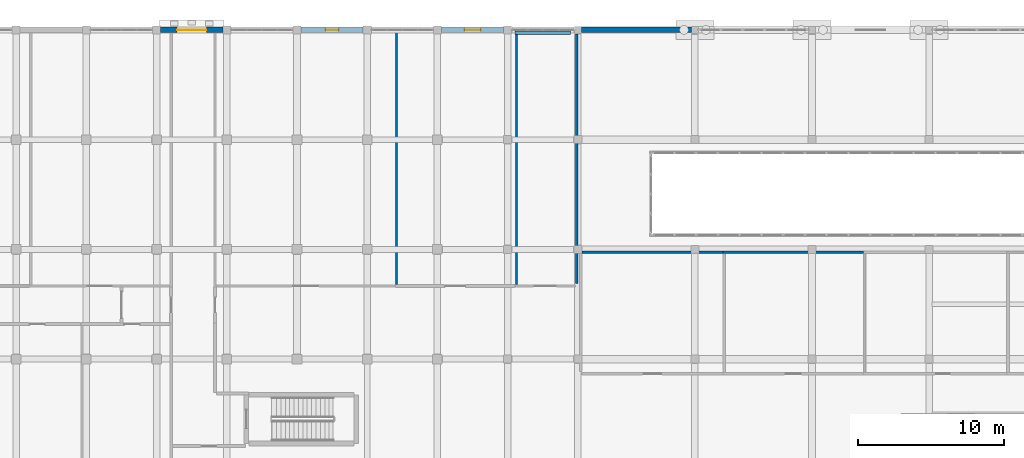
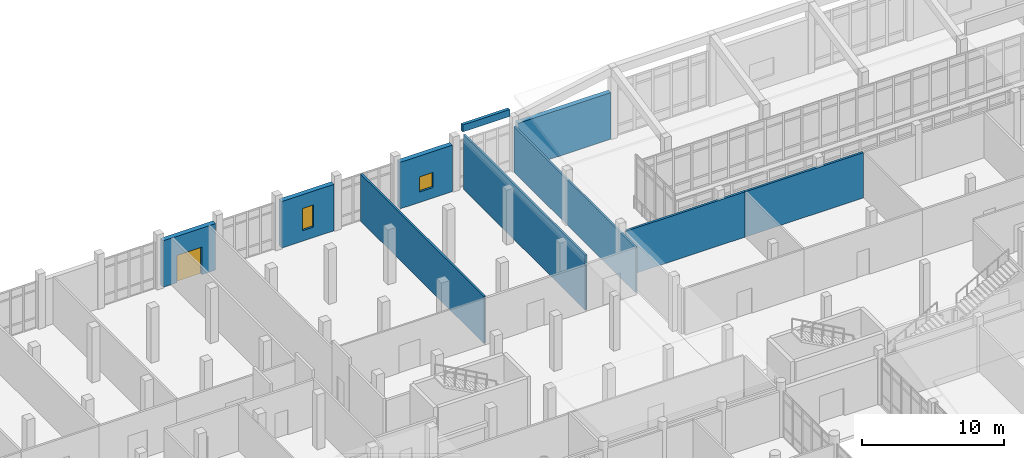
# One storey, part 157 of 173: 10 walls, 2 windows, 1 door, 3 openings.
"""IFC4 building model written with IfcOpenShell, lengths in metres."""

from ifc_helpers import new_model, si_unit, direction, frame, frame_2d, origin, place, context, subcontext, project, spatial, rectangle, extrude, material, layer, layer_set, type_object, element, fill, save


model = new_model("IFC4")

# Units and contexts
model_context = context("Model", 3, precision=1e-05, world=origin(), true_north=direction((0.0, 1.0)))
body_context = subcontext(model_context, "Body", "Model", "MODEL_VIEW")
ifc_project = project(units=[si_unit("LENGTHUNIT", "METRE"), si_unit("AREAUNIT", "SQUARE_METRE"), si_unit("VOLUMEUNIT", "CUBIC_METRE"), si_unit("PLANEANGLEUNIT", "RADIAN"), si_unit("MASSUNIT", "GRAM", prefix="KILO")], contexts=[model_context])

# Site, building, storey
site_placement = place(None, origin())
site = spatial("IfcSite", under=ifc_project, at=site_placement, CompositionType="ELEMENT")
building_placement = place(site_placement, origin())
building = spatial("IfcBuilding", under=site, at=building_placement, Name="Mawjan Specialist Oncology Clinic", CompositionType="ELEMENT")
storey_placement = place(building_placement, origin())
storey = spatial("IfcBuildingStorey", under=building, at=storey_placement, Name="L00", CompositionType="ELEMENT", Elevation=0.0)

# Wall, opening, door
ifc_material_1 = material(Name="Precast concrete C40/50", Category="concrete")
ifc_layer_1 = layer(ifc_material_1, 0.3798828125, Name="Precast concrete C40/50", Category="concrete")
ifc_layer_set_1 = layer_set([ifc_layer_1], Name="Precast concrete C40/50")
wall_type_1 = type_object("IfcWallType", Name="EW-380", PredefinedType="SOLIDWALL", material=ifc_layer_set_1)
wall_1_placement = place(storey_placement, frame((79.47509765625, 113.300048828125, 0.0), z_axis=(0.0, 0.0, 1.0), x_axis=(1.0, 0.0, 0.0)))
wall_1 = element("IfcWall", 1, at=wall_1_placement, inside=storey, type_object=wall_type_1, Name="L00 Coral-Limestone Exterior Wall EW-L00-021", PredefinedType="SOLIDWALL", context=body_context, shape_type="SweptSolid", body=[
    extrude(rectangle(XDim=4.25, YDim=0.3798828125, at=frame_2d((2.125, 0.0))), origin(), (0.0, 0.0, 1.0), 3.985107421875),
])
opening_1_placement = place(wall_1_placement, frame((1.125, 0.0, 0.0)))
opening_1 = element("IfcOpeningElement", 2, at=opening_1_placement, cuts=wall_1, Name="Opening DE-200", PredefinedType="OPENING", context=body_context, shape_type="SweptSolid", body=[
    extrude(rectangle(XDim=2.0, YDim=2.35009765625, at=frame_2d((1.0, 1.175048828125))), frame((0.0, 0.201904296875, 0.0), z_axis=(0.0, -1.0, 0.0), x_axis=(1.0, 0.0, 0.0)), (0.0, 0.0, 1.0), 0.40380859375),
])
ifc_material_2 = material(Name="Insulated marine-grade aluminium entrance assembly", Category="aluminium")
door_type = type_object("IfcDoorType", Name="DE-200", OperationType="DOUBLE_DOOR_SINGLE_SWING", PredefinedType="DOOR", material=ifc_material_2)
door_placement = place(opening_1_placement, origin())
door = element("IfcDoor", 3, at=door_placement, inside=storey, type_object=door_type, Name="Exit Stair ST-04 Final Exterior Discharge Door", OperationType="DOUBLE_DOOR_SINGLE_SWING", OverallHeight=2.35009765625, OverallWidth=2.0, PredefinedType="DOOR", context=body_context, shape_type="SweptSolid", body=[
    extrude(rectangle(XDim=2.0, YDim=2.35009765625, at=frame_2d((1.0, 1.175048828125))), frame((0.0, 0.02490234375, 0.0), z_axis=(0.0, -1.0, 0.0), x_axis=(1.0, 0.0, 0.0)), (0.0, 0.0, 1.0), 0.050048828125),
])
fill(opening_1, door)

# Wall, opening, window
wall_2_placement = place(storey_placement, frame((89.074951171875, 113.300048828125, 0.0), z_axis=(0.0, 0.0, 1.0), x_axis=(1.0, 0.0, 0.0)))
wall_2 = element("IfcWall", 4, at=wall_2_placement, inside=storey, type_object=wall_type_1, Name="L00 Coral-Limestone Exterior Wall EW-L00-022", PredefinedType="SOLIDWALL", context=body_context, shape_type="SweptSolid", body=[
    extrude(rectangle(XDim=4.25, YDim=0.3798828125, at=frame_2d((2.125, 0.0))), origin(), (0.0, 0.0, 1.0), 3.985107421875),
])
opening_2_placement = place(wall_2_placement, frame((1.675048828125, 0.0, 0.89990234375)))
opening_2 = element("IfcOpeningElement", 5, at=opening_2_placement, cuts=wall_2, Name="Opening WN-04", PredefinedType="OPENING", context=body_context, shape_type="SweptSolid", body=[
    extrude(rectangle(XDim=0.89990234375, YDim=1.89990234375, at=frame_2d((0.449951171875, 0.949951171875))), frame((0.0, 0.201904296875, 0.0), z_axis=(0.0, -1.0, 0.0), x_axis=(1.0, 0.0, 0.0)), (0.0, 0.0, 1.0), 0.40380859375),
])
ifc_material_3 = material(Name="Thermally broken low-E clinical aluminium window", Category="aluminium")
window_type_1 = type_object("IfcWindowType", Name="WN-04", PartitioningType="SINGLE_PANEL", PredefinedType="WINDOW", material=ifc_material_3)
window_1_placement = place(opening_2_placement, origin())
window_1 = element("IfcWindow", 6, at=window_1_placement, inside=storey, type_object=window_type_1, Name="L00 Clinical Low-E Window 004", OverallHeight=1.89990234375, OverallWidth=0.89990234375, PartitioningType="SINGLE_PANEL", PredefinedType="WINDOW", context=body_context, shape_type="SweptSolid", body=[
    extrude(rectangle(XDim=0.89990234375, YDim=1.89990234375, at=frame_2d((0.449951171875, 0.949951171875))), frame((0.0, 0.030029296875, 0.0), z_axis=(0.0, -1.0, 0.0), x_axis=(1.0, 0.0, 0.0)), (0.0, 0.0, 1.0), 0.06005859375),
])
fill(opening_2, window_1)

wall_3_placement = place(storey_placement, frame((98.675048828125, 113.300048828125, 0.0), z_axis=(0.0, 0.0, 1.0), x_axis=(1.0, 0.0, 0.0)))
wall_3 = element("IfcWall", 7, at=wall_3_placement, inside=storey, type_object=wall_type_1, Name="L00 Coral-Limestone Exterior Wall EW-L00-023", PredefinedType="SOLIDWALL", context=body_context, shape_type="SweptSolid", body=[
    extrude(rectangle(XDim=4.25, YDim=0.3798828125, at=frame_2d((2.125, 0.0))), origin(), (0.0, 0.0, 1.0), 3.985107421875),
])
opening_3_placement = place(wall_3_placement, frame((1.574951171875, 0.0, 0.89990234375)))
opening_3 = element("IfcOpeningElement", 8, at=opening_3_placement, cuts=wall_3, Name="Opening WN-05", PredefinedType="OPENING", context=body_context, shape_type="SweptSolid", body=[
    extrude(rectangle(XDim=1.10009765625, YDim=1.300048828125, at=frame_2d((0.550048828125, 0.64990234375))), frame((0.0, 0.201904296875, 0.0), z_axis=(0.0, -1.0, 0.0), x_axis=(1.0, 0.0, 0.0)), (0.0, 0.0, 1.0), 0.40380859375),
])
ifc_material_4 = material(Name="Thermally broken low-E clinical aluminium window", Category="aluminium")
window_type_2 = type_object("IfcWindowType", Name="WN-05", PartitioningType="SINGLE_PANEL", PredefinedType="WINDOW", material=ifc_material_4)
window_2_placement = place(opening_3_placement, origin())
window_2 = element("IfcWindow", 9, at=window_2_placement, inside=storey, type_object=window_type_2, Name="L00 Clinical Low-E Window 005", OverallHeight=1.300048828125, OverallWidth=1.10009765625, PartitioningType="SINGLE_PANEL", PredefinedType="WINDOW", context=body_context, shape_type="SweptSolid", body=[
    extrude(rectangle(XDim=1.10009765625, YDim=1.300048828125, at=frame_2d((0.550048828125, 0.64990234375))), frame((0.0, 0.030029296875, 0.0), z_axis=(0.0, -1.0, 0.0), x_axis=(1.0, 0.0, 0.0)), (0.0, 0.0, 1.0), 0.06005859375),
])
fill(opening_3, window_2)

# Walls
wall_4_placement = place(storey_placement, frame((108.25, 113.300048828125, 0.0), z_axis=(0.0, 0.0, 1.0), x_axis=(1.0, 0.0, 0.0)))
element("IfcWall", 10, at=wall_4_placement, inside=storey, type_object=wall_type_1, Name="L00 Coral-Limestone Exterior Wall EW-L00-024", PredefinedType="SOLIDWALL", context=body_context, shape_type="SweptSolid", body=[
    extrude(rectangle(XDim=7.5, YDim=0.3798828125, at=frame_2d((3.75, 0.0))), origin(), (0.0, 0.0, 1.0), 3.985107421875),
])
ifc_material_5 = material(Name="Precast concrete C40/50", Category="concrete")
ifc_layer_2 = layer(ifc_material_5, 0.239990234375, Name="Precast concrete C40/50", Category="concrete")
ifc_layer_set_2 = layer_set([ifc_layer_2], Name="Precast concrete C40/50")
wall_type_2 = type_object("IfcWallType", Name="PAR-240", PredefinedType="PARAPET", material=ifc_layer_set_2)
wall_5_placement = place(storey_placement, frame((103.699951171875, 113.1201171875, 4.89990234375), z_axis=(0.0, 0.0, 1.0), x_axis=(1.0, 0.0, 0.0)))
element("IfcWall", 11, at=wall_5_placement, inside=storey, type_object=wall_type_2, Name="L00 Roof Parapet Upstand 10", PredefinedType="PARAPET", context=body_context, shape_type="SweptSolid", body=[
    extrude(rectangle(XDim=3.800048828125, YDim=0.239990234375, at=frame_2d((1.89990234375, 0.0))), origin(), (0.0, 0.0, 1.0), 0.60009765625),
])
ifc_material_6 = material(Name="Acoustic gypsum clinical partition", Category="gypsum")
ifc_layer_3 = layer(ifc_material_6, 0.14990234375, Name="Acoustic gypsum clinical partition", Category="gypsum")
ifc_layer_set_3 = layer_set([ifc_layer_3], Name="Acoustic gypsum clinical partition")
wall_type_3 = type_object("IfcWallType", Name="WP-150", PredefinedType="PARTITIONING", material=ifc_layer_set_3)
wall_6_placement = place(storey_placement, frame((103.800048828125, 95.89208984375, 0.0), z_axis=(0.0, 0.0, 1.0), x_axis=(0.0, 1.0, 0.0)))
element("IfcWall", 12, at=wall_6_placement, inside=storey, type_object=wall_type_3, Name="L00 Interior Partition W-INT-L00-P05A-D", PredefinedType="PARTITIONING", context=body_context, shape_type="SweptSolid", body=[
    extrude(rectangle(XDim=17.095947265625, YDim=0.14990234375, at=frame_2d((8.5478515625, 0.0))), origin(), (0.0, 0.0, 1.0), 4.699951171875),
])
wall_7_placement = place(storey_placement, frame((107.919921875, 95.965087890625, 0.0), z_axis=(0.0, 0.0, 1.0), x_axis=(0.0, 1.0, 0.0)))
element("IfcWall", 13, at=wall_7_placement, inside=storey, type_object=wall_type_3, Name="L00 Interior Partition W-INT-L00-P05-D", PredefinedType="PARTITIONING", context=body_context, shape_type="SweptSolid", body=[
    extrude(rectangle(XDim=17.072998046875, YDim=0.14990234375, at=frame_2d((8.53662109375, 0.0))), origin(), (0.0, 0.0, 1.0), 3.885009765625),
])
ifc_material_7 = material(Name="Acoustic clinical twin-stud partition", Category="gypsum")
ifc_layer_4 = layer(ifc_material_7, 0.159912109375, Name="Acoustic clinical twin-stud partition", Category="gypsum")
ifc_layer_set_4 = layer_set([ifc_layer_4], Name="Acoustic clinical twin-stud partition")
wall_type_4 = type_object("IfcWallType", Name="WP-160", PredefinedType="PARTITIONING", material=ifc_layer_set_4)
wall_8_placement = place(storey_placement, frame((95.60009765625, 95.902099609375, 0.0), z_axis=(0.0, 0.0, 1.0), x_axis=(0.0, 1.0, 0.0)))
element("IfcWall", 14, at=wall_8_placement, inside=storey, type_object=wall_type_4, Name="L00 Interior Partition W-INT-L00-P04-D", PredefinedType="PARTITIONING", context=body_context, shape_type="SweptSolid", body=[
    extrude(rectangle(XDim=17.2958984375, YDim=0.159912109375, at=frame_2d((8.64794921875, 0.0))), origin(), (0.0, 0.0, 1.0), 4.034912109375),
])
ifc_material_8 = material(Name="Lead-lined radiation-shielded clinical partition", Category="gypsum")
ifc_layer_5 = layer(ifc_material_8, 0.179931640625, Name="Lead-lined radiation-shielded clinical partition", Category="gypsum")
ifc_layer_set_5 = layer_set([ifc_layer_5], Name="Lead-lined radiation-shielded clinical partition")
wall_type_5 = type_object("IfcWallType", Name="WP-180", PredefinedType="PARTITIONING", material=ifc_layer_set_5)
wall_9_placement = place(storey_placement, frame((108.287109375, 98.10009765625, 0.0), z_axis=(0.0, 0.0, 1.0), x_axis=(1.0, 0.0, 0.0)))
element("IfcWall", 15, at=wall_9_placement, inside=storey, type_object=wall_type_5, Name="L00 Interior Partition W-INT-L00-I05-R", PredefinedType="PARTITIONING", context=body_context, shape_type="SweptSolid", body=[
    extrude(rectangle(XDim=9.6279296875, YDim=0.179931640625, at=frame_2d((4.81396484375, 0.0))), origin(), (0.0, 0.0, 1.0), 3.885009765625),
])
wall_10_placement = place(storey_placement, frame((117.927001953125, 98.10009765625, 0.0), z_axis=(0.0, 0.0, 1.0), x_axis=(1.0, 0.0, 0.0)))
element("IfcWall", 16, at=wall_10_placement, inside=storey, type_object=wall_type_5, Name="L00 Interior Partition W-INT-L00-I06-R", PredefinedType="PARTITIONING", context=body_context, shape_type="SweptSolid", body=[
    extrude(rectangle(XDim=9.587890625, YDim=0.179931640625, at=frame_2d((4.7939453125, 0.0))), origin(), (0.0, 0.0, 1.0), 3.885009765625),
])

save(model, "model.ifc")
